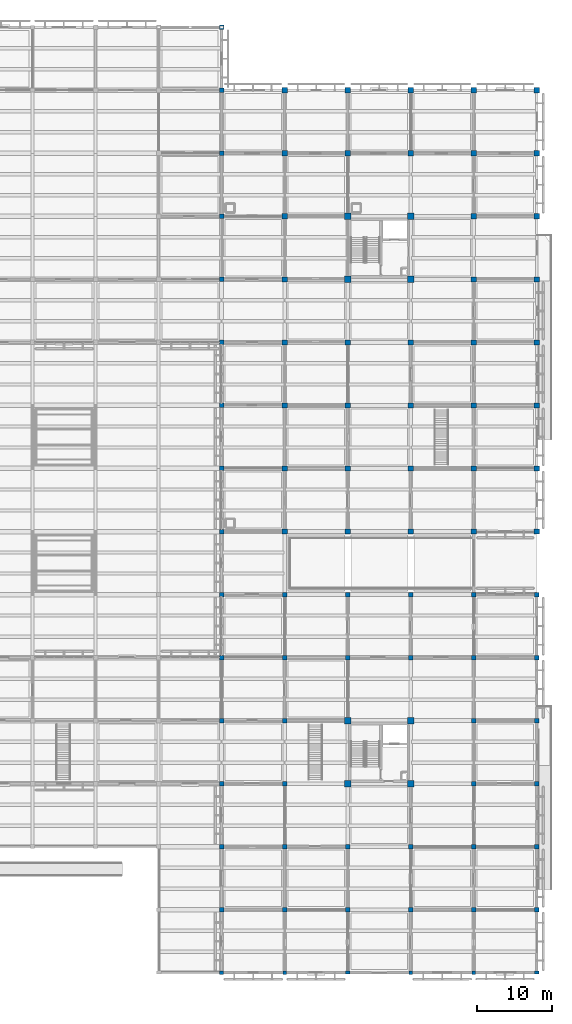
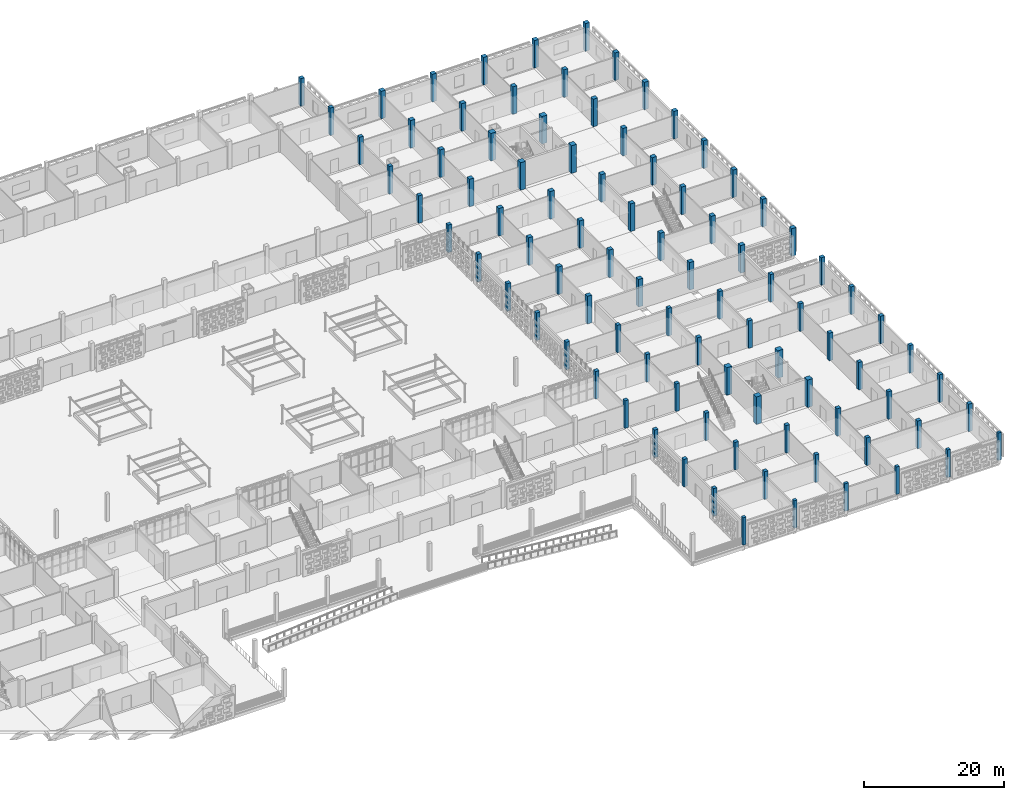
# One storey, part 3 of 129: 91 columns.
"""IFC4 building model written with IfcOpenShell, lengths in metres."""

from ifc_helpers import new_model, si_unit, direction, frame, origin, origin_2d, place, context, subcontext, project, spatial, rectangle, extrude, material, material_profile, profile_set, type_object, element, save


model = new_model("IFC4")

# Units and contexts
model_context = context("Model", 3, precision=1e-05, world=origin(), true_north=direction((0.0, 1.0)))
body_context = subcontext(model_context, "Body", "Model", "MODEL_VIEW")
ifc_project = project(units=[si_unit("LENGTHUNIT", "METRE"), si_unit("AREAUNIT", "SQUARE_METRE"), si_unit("VOLUMEUNIT", "CUBIC_METRE"), si_unit("PLANEANGLEUNIT", "RADIAN"), si_unit("MASSUNIT", "GRAM", prefix="KILO")], contexts=[model_context])

# Site, building, storey
site_placement = place(None, origin())
site = spatial("IfcSite", under=ifc_project, at=site_placement, CompositionType="ELEMENT")
building_placement = place(site_placement, origin())
building = spatial("IfcBuilding", under=site, at=building_placement, Name="Varnapada Polytechnic", CompositionType="ELEMENT")
storey_placement = place(building_placement, origin())
storey = spatial("IfcBuildingStorey", under=building, at=storey_placement, Name="L00", CompositionType="ELEMENT", Elevation=0.0)

# Columns
ifc_material = material(Name="Concrete C40/50", Category="concrete")
ifc_material_profile_1 = material_profile(ifc_material, rectangle(XDim=0.85009765625, YDim=0.85009765625, at=origin_2d()), Name="RC 850x850")
ifc_profile_set_1 = profile_set([ifc_material_profile_1], Name="Concrete C40/50")
column_type_1 = type_object("IfcColumnType", Name="Column C-01 (RC 850x850)", PredefinedType="COLUMN", material=ifc_profile_set_1)
for number, where, z_axis, x_axis, name in (
    (1, (151.199951171875, 25.199951171875, 0.0), (0.0, 0.0, 1.0), (1.0, 0.0, 0.0), "L00 column 19/4"),
    (2, (151.199951171875, 33.60009765625, 0.0), (0.0, 0.0, 1.0), (1.0, 0.0, 0.0), "L00 column 19/5"),
    (3, (151.199951171875, 92.39990234375, 0.0), (0.0, 0.0, 1.0), (1.0, 0.0, 0.0), "L00 column 19/12"),
    (4, (151.199951171875, 100.800048828125, 0.0), (0.0, 0.0, 1.0), (1.0, 0.0, 0.0), "L00 column 19/13"),
    (5, (159.60009765625, 25.199951171875, 0.0), (0.0, 0.0, 1.0), (1.0, 0.0, 0.0), "L00 column 20/4"),
    (6, (159.60009765625, 33.60009765625, 0.0), (0.0, 0.0, 1.0), (1.0, 0.0, 0.0), "L00 column 20/5"),
    (7, (159.60009765625, 92.39990234375, 0.0), (0.0, 0.0, 1.0), (1.0, 0.0, 0.0), "L00 column 20/12"),
    (8, (159.60009765625, 100.800048828125, 0.0), (0.0, 0.0, 1.0), (1.0, 0.0, 0.0), "L00 column 20/13"),
):
    element("IfcColumn", number, at=place(storey_placement, frame(where, z_axis=z_axis, x_axis=x_axis)), inside=storey, type_object=column_type_1, Name=name, PredefinedType="COLUMN", context=body_context, shape_type="SweptSolid", body=[
        extrude(rectangle(XDim=0.85009765625, YDim=0.85009765625, at=origin_2d()), origin(), (0.0, 0.0, 1.0), 4.800048828125),
    ])
ifc_material_profile_2 = material_profile(ifc_material, rectangle(XDim=0.60009765625, YDim=0.39990234375, at=origin_2d()), Name="RC 600x400")
ifc_profile_set_2 = profile_set([ifc_material_profile_2], Name="Concrete C40/50")
column_type_2 = type_object("IfcColumnType", Name="Column C-05 (RC 600x400)", PredefinedType="PILASTER", material=ifc_profile_set_2)
for number, where, z_axis, x_axis, name in (
    (9, (151.199951171875, 0.0, 0.0), (0.0, 0.0, 1.0), (1.0, 0.0, 0.0), "L00 column 19/1"),
    (10, (176.39990234375, 0.0, 0.0), (0.0, 0.0, 1.0), (1.0, 0.0, 0.0), "L00 column 22/1"),
):
    element("IfcColumn", number, at=place(storey_placement, frame(where, z_axis=z_axis, x_axis=x_axis)), inside=storey, type_object=column_type_2, Name=name, PredefinedType="PILASTER", context=body_context, shape_type="SweptSolid", body=[
        extrude(rectangle(XDim=0.60009765625, YDim=0.39990234375, at=origin_2d()), origin(), (0.0, 0.0, 1.0), 4.800048828125),
    ])
ifc_material_profile_3 = material_profile(ifc_material, rectangle(XDim=0.699951171875, YDim=0.699951171875, at=origin_2d()), Name="RC 700x700")
ifc_profile_set_3 = profile_set([ifc_material_profile_3], Name="Concrete C40/50")
column_type_3 = type_object("IfcColumnType", Name="Column C-17 (RC 700x700)", PredefinedType="COLUMN", material=ifc_profile_set_3)
for number, where, z_axis, x_axis, name in (
    (11, (142.800048828125, 58.800048828125, 0.0), (0.0, 0.0, 1.0), (1.0, 0.0, 0.0), "L00 column 18/8"),
    (12, (142.800048828125, 67.199951171875, 0.0), (0.0, 0.0, 1.0), (1.0, 0.0, 0.0), "L00 column 18/9"),
    (13, (142.800048828125, 75.60009765625, 0.0), (0.0, 0.0, 1.0), (1.0, 0.0, 0.0), "L00 column 18/10"),
    (14, (142.800048828125, 84.0, 0.0), (0.0, 0.0, 1.0), (1.0, 0.0, 0.0), "L00 column 18/11"),
    (15, (142.800048828125, 92.39990234375, 0.0), (0.0, 0.0, 1.0), (1.0, 0.0, 0.0), "L00 column 18/12"),
    (16, (142.800048828125, 100.800048828125, 0.0), (0.0, 0.0, 1.0), (1.0, 0.0, 0.0), "L00 column 18/13"),
    (17, (142.800048828125, 109.199951171875, 0.0), (0.0, 0.0, 1.0), (1.0, 0.0, 0.0), "L00 column 18/14"),
    (18, (142.800048828125, 117.60009765625, 0.0), (0.0, 0.0, 1.0), (1.0, 0.0, 0.0), "L00 column 18/15"),
    (19, (151.199951171875, 58.800048828125, 0.0), (0.0, 0.0, 1.0), (1.0, 0.0, 0.0), "L00 column 19/8"),
    (20, (151.199951171875, 67.199951171875, 0.0), (0.0, 0.0, 1.0), (1.0, 0.0, 0.0), "L00 column 19/9"),
    (21, (151.199951171875, 75.60009765625, 0.0), (0.0, 0.0, 1.0), (1.0, 0.0, 0.0), "L00 column 19/10"),
    (22, (151.199951171875, 84.0, 0.0), (0.0, 0.0, 1.0), (1.0, 0.0, 0.0), "L00 column 19/11"),
    (23, (151.199951171875, 109.199951171875, 0.0), (0.0, 0.0, 1.0), (1.0, 0.0, 0.0), "L00 column 19/14"),
    (24, (151.199951171875, 117.60009765625, 0.0), (0.0, 0.0, 1.0), (1.0, 0.0, 0.0), "L00 column 19/15"),
    (25, (159.60009765625, 58.800048828125, 0.0), (0.0, 0.0, 1.0), (1.0, 0.0, 0.0), "L00 column 20/8"),
    (26, (159.60009765625, 67.199951171875, 0.0), (0.0, 0.0, 1.0), (1.0, 0.0, 0.0), "L00 column 20/9"),
    (27, (159.60009765625, 75.60009765625, 0.0), (0.0, 0.0, 1.0), (1.0, 0.0, 0.0), "L00 column 20/10"),
    (28, (159.60009765625, 84.0, 0.0), (0.0, 0.0, 1.0), (1.0, 0.0, 0.0), "L00 column 20/11"),
    (29, (159.60009765625, 109.199951171875, 0.0), (0.0, 0.0, 1.0), (1.0, 0.0, 0.0), "L00 column 20/14"),
    (30, (159.60009765625, 117.60009765625, 0.0), (0.0, 0.0, 1.0), (1.0, 0.0, 0.0), "L00 column 20/15"),
    (31, (168.0, 58.800048828125, 0.0), (0.0, 0.0, 1.0), (1.0, 0.0, 0.0), "L00 column 21/8"),
    (32, (168.0, 67.199951171875, 0.0), (0.0, 0.0, 1.0), (1.0, 0.0, 0.0), "L00 column 21/9"),
    (33, (168.0, 75.60009765625, 0.0), (0.0, 0.0, 1.0), (1.0, 0.0, 0.0), "L00 column 21/10"),
    (34, (168.0, 84.0, 0.0), (0.0, 0.0, 1.0), (1.0, 0.0, 0.0), "L00 column 21/11"),
    (35, (168.0, 92.39990234375, 0.0), (0.0, 0.0, 1.0), (1.0, 0.0, 0.0), "L00 column 21/12"),
    (36, (168.0, 100.800048828125, 0.0), (0.0, 0.0, 1.0), (1.0, 0.0, 0.0), "L00 column 21/13"),
    (37, (168.0, 109.199951171875, 0.0), (0.0, 0.0, 1.0), (1.0, 0.0, 0.0), "L00 column 21/14"),
    (38, (168.0, 117.60009765625, 0.0), (0.0, 0.0, 1.0), (1.0, 0.0, 0.0), "L00 column 21/15"),
    (39, (176.39990234375, 58.800048828125, 0.0), (0.0, 0.0, 1.0), (1.0, 0.0, 0.0), "L00 column 22/8"),
    (40, (176.39990234375, 67.199951171875, 0.0), (0.0, 0.0, 1.0), (1.0, 0.0, 0.0), "L00 column 22/9"),
    (41, (176.39990234375, 75.60009765625, 0.0), (0.0, 0.0, 1.0), (1.0, 0.0, 0.0), "L00 column 22/10"),
    (42, (176.39990234375, 84.0, 0.0), (0.0, 0.0, 1.0), (1.0, 0.0, 0.0), "L00 column 22/11"),
    (43, (176.39990234375, 92.39990234375, 0.0), (0.0, 0.0, 1.0), (1.0, 0.0, 0.0), "L00 column 22/12"),
    (44, (176.39990234375, 100.800048828125, 0.0), (0.0, 0.0, 1.0), (1.0, 0.0, 0.0), "L00 column 22/13"),
    (45, (176.39990234375, 109.199951171875, 0.0), (0.0, 0.0, 1.0), (1.0, 0.0, 0.0), "L00 column 22/14"),
    (46, (176.39990234375, 117.60009765625, 0.0), (0.0, 0.0, 1.0), (1.0, 0.0, 0.0), "L00 column 22/15"),
):
    element("IfcColumn", number, at=place(storey_placement, frame(where, z_axis=z_axis, x_axis=x_axis)), inside=storey, type_object=column_type_3, Name=name, PredefinedType="COLUMN", context=body_context, shape_type="SweptSolid", body=[
        extrude(rectangle(XDim=0.699951171875, YDim=0.699951171875, at=origin_2d()), origin(), (0.0, 0.0, 1.0), 4.800048828125),
    ])
ifc_material_profile_4 = material_profile(ifc_material, rectangle(XDim=0.60009765625, YDim=0.60009765625, at=origin_2d()), Name="RC 600x600")
ifc_profile_set_4 = profile_set([ifc_material_profile_4], Name="Concrete C40/50")
column_type_4 = type_object("IfcColumnType", Name="Column C-18 (RC 600x600)", PredefinedType="COLUMN", material=ifc_profile_set_4)
for number, where, z_axis, x_axis, name in (
    (47, (134.39990234375, 8.39990234375, 0.0), (0.0, 0.0, 1.0), (1.0, 0.0, 0.0), "L00 column 17/2"),
    (48, (134.39990234375, 16.800048828125, 0.0), (0.0, 0.0, 1.0), (1.0, 0.0, 0.0), "L00 column 17/3"),
    (49, (134.39990234375, 25.199951171875, 0.0), (0.0, 0.0, 1.0), (1.0, 0.0, 0.0), "L00 column 17/4"),
    (50, (134.39990234375, 33.60009765625, 0.0), (0.0, 0.0, 1.0), (1.0, 0.0, 0.0), "L00 column 17/5"),
    (51, (134.39990234375, 42.0, 0.0), (0.0, 0.0, 1.0), (1.0, 0.0, 0.0), "L00 column 17/6"),
    (52, (134.39990234375, 50.39990234375, 0.0), (0.0, 0.0, 1.0), (1.0, 0.0, 0.0), "L00 column 17/7"),
    (53, (134.39990234375, 58.800048828125, 0.0), (0.0, 0.0, 1.0), (1.0, 0.0, 0.0), "L00 column 17/8"),
    (54, (134.39990234375, 67.199951171875, 0.0), (0.0, 0.0, 1.0), (1.0, 0.0, 0.0), "L00 column 17/9"),
    (55, (134.39990234375, 75.60009765625, 0.0), (0.0, 0.0, 1.0), (1.0, 0.0, 0.0), "L00 column 17/10"),
    (56, (134.39990234375, 84.0, 0.0), (0.0, 0.0, 1.0), (1.0, 0.0, 0.0), "L00 column 17/11"),
    (57, (134.39990234375, 92.39990234375, 0.0), (0.0, 0.0, 1.0), (1.0, 0.0, 0.0), "L00 column 17/12"),
    (58, (134.39990234375, 100.800048828125, 0.0), (0.0, 0.0, 1.0), (1.0, 0.0, 0.0), "L00 column 17/13"),
    (59, (134.39990234375, 109.199951171875, 0.0), (0.0, 0.0, 1.0), (1.0, 0.0, 0.0), "L00 column 17/14"),
    (60, (134.39990234375, 117.60009765625, 0.0), (0.0, 0.0, 1.0), (1.0, 0.0, 0.0), "L00 column 17/15"),
    (61, (134.39990234375, 126.0, 0.0), (0.0, 0.0, 1.0), (1.0, 0.0, 0.0), "L00 column 17/16"),
    (62, (142.800048828125, 8.39990234375, 0.0), (0.0, 0.0, 1.0), (1.0, 0.0, 0.0), "L00 column 18/2"),
    (63, (142.800048828125, 16.800048828125, 0.0), (0.0, 0.0, 1.0), (1.0, 0.0, 0.0), "L00 column 18/3"),
    (64, (142.800048828125, 25.199951171875, 0.0), (0.0, 0.0, 1.0), (1.0, 0.0, 0.0), "L00 column 18/4"),
    (65, (142.800048828125, 33.60009765625, 0.0), (0.0, 0.0, 1.0), (1.0, 0.0, 0.0), "L00 column 18/5"),
    (66, (142.800048828125, 42.0, 0.0), (0.0, 0.0, 1.0), (1.0, 0.0, 0.0), "L00 column 18/6"),
    (67, (142.800048828125, 50.39990234375, 0.0), (0.0, 0.0, 1.0), (1.0, 0.0, 0.0), "L00 column 18/7"),
    (68, (151.199951171875, 8.39990234375, 0.0), (0.0, 0.0, 1.0), (1.0, 0.0, 0.0), "L00 column 19/2"),
    (69, (151.199951171875, 16.800048828125, 0.0), (0.0, 0.0, 1.0), (1.0, 0.0, 0.0), "L00 column 19/3"),
    (70, (151.199951171875, 42.0, 0.0), (0.0, 0.0, 1.0), (1.0, 0.0, 0.0), "L00 column 19/6"),
    (71, (151.199951171875, 50.39990234375, 0.0), (0.0, 0.0, 1.0), (1.0, 0.0, 0.0), "L00 column 19/7"),
    (72, (159.60009765625, 8.39990234375, 0.0), (0.0, 0.0, 1.0), (1.0, 0.0, 0.0), "L00 column 20/2"),
    (73, (159.60009765625, 16.800048828125, 0.0), (0.0, 0.0, 1.0), (1.0, 0.0, 0.0), "L00 column 20/3"),
    (74, (159.60009765625, 42.0, 0.0), (0.0, 0.0, 1.0), (1.0, 0.0, 0.0), "L00 column 20/6"),
    (75, (159.60009765625, 50.39990234375, 0.0), (0.0, 0.0, 1.0), (1.0, 0.0, 0.0), "L00 column 20/7"),
    (76, (168.0, 8.39990234375, 0.0), (0.0, 0.0, 1.0), (1.0, 0.0, 0.0), "L00 column 21/2"),
    (77, (168.0, 16.800048828125, 0.0), (0.0, 0.0, 1.0), (1.0, 0.0, 0.0), "L00 column 21/3"),
    (78, (168.0, 25.199951171875, 0.0), (0.0, 0.0, 1.0), (1.0, 0.0, 0.0), "L00 column 21/4"),
    (79, (168.0, 33.60009765625, 0.0), (0.0, 0.0, 1.0), (1.0, 0.0, 0.0), "L00 column 21/5"),
    (80, (168.0, 42.0, 0.0), (0.0, 0.0, 1.0), (1.0, 0.0, 0.0), "L00 column 21/6"),
    (81, (168.0, 50.39990234375, 0.0), (0.0, 0.0, 1.0), (1.0, 0.0, 0.0), "L00 column 21/7"),
    (82, (176.39990234375, 8.39990234375, 0.0), (0.0, 0.0, 1.0), (1.0, 0.0, 0.0), "L00 column 22/2"),
    (83, (176.39990234375, 16.800048828125, 0.0), (0.0, 0.0, 1.0), (1.0, 0.0, 0.0), "L00 column 22/3"),
    (84, (176.39990234375, 25.199951171875, 0.0), (0.0, 0.0, 1.0), (1.0, 0.0, 0.0), "L00 column 22/4"),
    (85, (176.39990234375, 33.60009765625, 0.0), (0.0, 0.0, 1.0), (1.0, 0.0, 0.0), "L00 column 22/5"),
    (86, (176.39990234375, 42.0, 0.0), (0.0, 0.0, 1.0), (1.0, 0.0, 0.0), "L00 column 22/6"),
    (87, (176.39990234375, 50.39990234375, 0.0), (0.0, 0.0, 1.0), (1.0, 0.0, 0.0), "L00 column 22/7"),
):
    element("IfcColumn", number, at=place(storey_placement, frame(where, z_axis=z_axis, x_axis=x_axis)), inside=storey, type_object=column_type_4, Name=name, PredefinedType="COLUMN", context=body_context, shape_type="SweptSolid", body=[
        extrude(rectangle(XDim=0.60009765625, YDim=0.60009765625, at=origin_2d()), origin(), (0.0, 0.0, 1.0), 4.800048828125),
    ])
ifc_material_profile_5 = material_profile(ifc_material, rectangle(XDim=0.5, YDim=0.5, at=origin_2d()), Name="RC 500x500")
ifc_profile_set_5 = profile_set([ifc_material_profile_5], Name="Concrete C40/50")
column_type_5 = type_object("IfcColumnType", Name="Column C-29 (RC 500x500)", PredefinedType="COLUMN", material=ifc_profile_set_5)
for number, where, z_axis, x_axis, name in (
    (88, (134.39990234375, 0.0, 0.0), (0.0, 0.0, 1.0), (1.0, 0.0, 0.0), "L00 column 17/1"),
    (89, (142.800048828125, 0.0, 0.0), (0.0, 0.0, 1.0), (1.0, 0.0, 0.0), "L00 column 18/1"),
    (90, (159.60009765625, 0.0, 0.0), (0.0, 0.0, 1.0), (1.0, 0.0, 0.0), "L00 column 20/1"),
    (91, (168.0, 0.0, 0.0), (0.0, 0.0, 1.0), (1.0, 0.0, 0.0), "L00 column 21/1"),
):
    element("IfcColumn", number, at=place(storey_placement, frame(where, z_axis=z_axis, x_axis=x_axis)), inside=storey, type_object=column_type_5, Name=name, PredefinedType="COLUMN", context=body_context, shape_type="SweptSolid", body=[
        extrude(rectangle(XDim=0.5, YDim=0.5, at=origin_2d()), origin(), (0.0, 0.0, 1.0), 4.800048828125),
    ])

save(model, "model.ifc")
